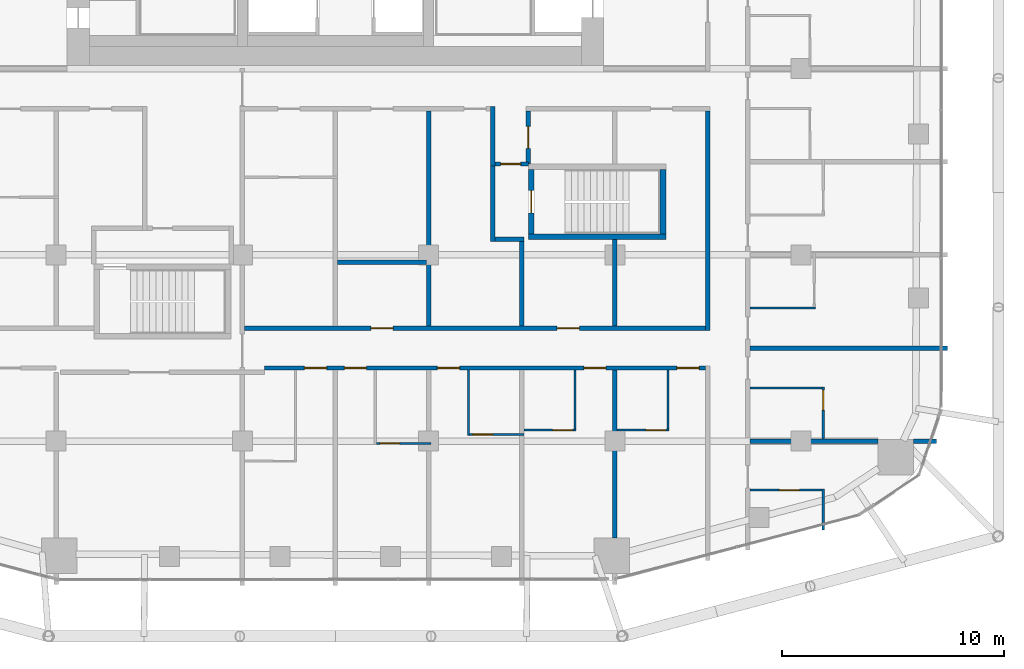
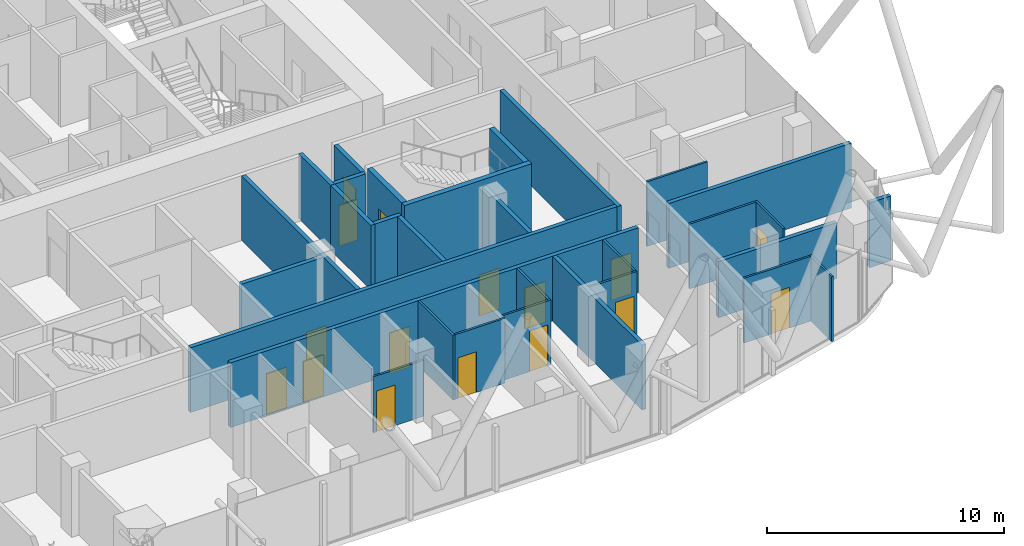
# One storey, part 29 of 36: 31 walls, 16 doors, 16 openings.
"""IFC4 building model written with IfcOpenShell, lengths in metres."""

from ifc_helpers import new_model, si_unit, direction, frame, frame_2d, origin, place, context, subcontext, project, spatial, rectangle, extrude, material, layer, layer_set, type_object, element, fill, save


model = new_model("IFC4")

# Units and contexts
model_context = context("Model", 3, precision=1e-05, world=origin(), true_north=direction((0.0, 1.0)))
body_context = subcontext(model_context, "Body", "Model", "MODEL_VIEW")
ifc_project = project(units=[si_unit("LENGTHUNIT", "METRE"), si_unit("AREAUNIT", "SQUARE_METRE"), si_unit("VOLUMEUNIT", "CUBIC_METRE"), si_unit("PLANEANGLEUNIT", "RADIAN"), si_unit("MASSUNIT", "GRAM", prefix="KILO")], contexts=[model_context])

# Site, building, storey
site_placement = place(None, origin())
site = spatial("IfcSite", under=ifc_project, at=site_placement, CompositionType="ELEMENT")
building_placement = place(site_placement, origin())
building = spatial("IfcBuilding", under=site, at=building_placement, Name="Marenta Gate Hotel Tower", CompositionType="ELEMENT")
storey_placement = place(building_placement, frame((0.0, 0.0, 144.5)))
storey = spatial("IfcBuildingStorey", under=building, at=storey_placement, Name="L33", CompositionType="ELEMENT", Elevation=144.5)

# Wall
ifc_material_1 = material(Name="Concrete C40", Category="concrete")
ifc_layer_1 = layer(ifc_material_1, 0.25)
ifc_layer_set_1 = layer_set([ifc_layer_1], Name="Concrete C40")
wall_type_1 = type_object("IfcWallType", Name="Remote stair enclosure wall 250 REI 180", PredefinedType="SHEAR", material=ifc_layer_set_1)
wall_1_placement = place(storey_placement, frame((8.699951171875, -7.574951171875, 0.10009765625), z_axis=(0.0, 0.0, 1.0), x_axis=(1.0, 0.0, 0.0)))
element("IfcWall", 1, at=wall_1_placement, inside=storey, type_object=wall_type_1, Name="L33-RS-Z2-2-W1", PredefinedType="SHEAR", context=body_context, shape_type="SweptSolid", body=[
    extrude(rectangle(XDim=6.199951171875, YDim=0.25, at=frame_2d((3.10009765625, 0.0))), origin(), (0.0, 0.0, 1.0), 3.599853515625),
])

# Wall, opening, door
wall_2_placement = place(storey_placement, frame((8.824951171875, -7.449951171875, 0.10009765625), z_axis=(0.0, 0.0, 1.0), x_axis=(0.0, 1.0, 0.0)))
wall_2 = element("IfcWall", 2, at=wall_2_placement, inside=storey, type_object=wall_type_1, Name="L33-RS-Z2-2-W3", PredefinedType="SHEAR", context=body_context, shape_type="SweptSolid", body=[
    extrude(rectangle(XDim=2.89990234375, YDim=0.25, at=frame_2d((1.449951171875, 0.0))), origin(), (0.0, 0.0, 1.0), 3.599853515625),
])
opening_1_placement = place(wall_2_placement, frame((0.949951171875, 0.0, 0.0)))
opening_1 = element("IfcOpeningElement", 3, at=opening_1_placement, cuts=wall_2, Name="Opening VD", PredefinedType="OPENING", context=body_context, shape_type="SweptSolid", body=[
    extrude(rectangle(XDim=1.0, YDim=2.10009765625, at=frame_2d((0.5, 1.050048828125))), frame((0.0, 0.125, 0.0), z_axis=(0.0, -1.0, 0.0), x_axis=(1.0, 0.0, 0.0)), (0.0, 0.0, 1.0), 0.25),
])
ifc_material_2 = material(Name="Steel", Category="steel")
door_type_1 = type_object("IfcDoorType", Name="Stair vestibule door 1000x2100 FD60", OperationType="SINGLE_SWING_LEFT", PredefinedType="DOOR", material=ifc_material_2)
door_1_placement = place(opening_1_placement, origin())
door_1 = element("IfcDoor", 4, at=door_1_placement, inside=storey, type_object=door_type_1, Name="VD", OperationType="SINGLE_SWING_LEFT", OverallHeight=2.10009765625, OverallWidth=1.0, PredefinedType="DOOR", context=body_context, shape_type="SweptSolid", body=[
    extrude(rectangle(XDim=1.0, YDim=2.10009765625, at=frame_2d((0.5, 1.050048828125))), frame((0.0, 0.02490234375, 0.0), z_axis=(0.0, -1.0, 0.0), x_axis=(1.0, 0.0, 0.0)), (0.0, 0.0, 1.0), 0.050048828125),
])
fill(opening_1, door_1)

# Wall
wall_3_placement = place(storey_placement, frame((14.77490234375, -7.449951171875, 0.10009765625), z_axis=(0.0, 0.0, 1.0), x_axis=(0.0, 1.0, 0.0)))
element("IfcWall", 5, at=wall_3_placement, inside=storey, type_object=wall_type_1, Name="L33-RS-Z2-2-W4", PredefinedType="SHEAR", context=body_context, shape_type="SweptSolid", body=[
    extrude(rectangle(XDim=2.89990234375, YDim=0.25, at=frame_2d((1.449951171875, 0.0))), origin(), (0.0, 0.0, 1.0), 3.599853515625),
])

# Wall, openings, doors
ifc_material_3 = material(Name="Concrete blockwork", Category="masonry")
ifc_layer_2 = layer(ifc_material_3, 0.199951171875)
ifc_layer_set_2 = layer_set([ifc_layer_2], Name="Concrete blockwork")
wall_type_2 = type_object("IfcWallType", Name="Room corridor wall 200 EI 120", PredefinedType="PARTITIONING", material=ifc_layer_set_2)
wall_4_placement = place(storey_placement, frame((-4.10009765625, -11.699951171875, 0.0), z_axis=(0.0, 0.0, 1.0), x_axis=(1.0, 0.0, 0.0)))
wall_4 = element("IfcWall", 6, at=wall_4_placement, inside=storey, type_object=wall_type_2, Name="L33-PTN-W038", PredefinedType="PARTITIONING", context=body_context, shape_type="SweptSolid", body=[
    extrude(rectangle(XDim=20.800048828125, YDim=0.199951171875, at=frame_2d((10.39990234375, 0.0))), origin(), (0.0, 0.0, 1.0), 3.340087890625),
])
opening_2_placement = place(wall_4_placement, frame((14.10009765625, 0.0, 0.0)))
opening_2 = element("IfcOpeningElement", 7, at=opening_2_placement, cuts=wall_4, Name="Opening G12-70", PredefinedType="OPENING", context=body_context, shape_type="SweptSolid", body=[
    extrude(rectangle(XDim=1.0, YDim=2.10009765625, at=frame_2d((0.5, 1.050048828125))), frame((0.0, 0.10009765625, 0.0), z_axis=(0.0, -1.0, 0.0), x_axis=(1.0, 0.0, 0.0)), (0.0, 0.0, 1.0), 0.199951171875),
])
opening_3_placement = place(wall_4_placement, frame((5.699951171875, 0.0, 0.0)))
opening_3 = element("IfcOpeningElement", 8, at=opening_3_placement, cuts=wall_4, Name="Opening G12-72", PredefinedType="OPENING", context=body_context, shape_type="SweptSolid", body=[
    extrude(rectangle(XDim=1.0, YDim=2.10009765625, at=frame_2d((0.5, 1.050048828125))), frame((0.0, 0.10009765625, 0.0), z_axis=(0.0, -1.0, 0.0), x_axis=(1.0, 0.0, 0.0)), (0.0, 0.0, 1.0), 0.199951171875),
])
ifc_material_4 = material(Name="Timber door leaf", Category="wood")
door_type_2 = type_object("IfcDoorType", Name="Room amenity door 1000x2100 EI 60", OperationType="NOTDEFINED", PredefinedType="DOOR", material=ifc_material_4)
door_2_placement = place(opening_2_placement, origin())
door_2 = element("IfcDoor", 9, at=door_2_placement, inside=storey, type_object=door_type_2, Name="L33-PD-D070", OperationType="SINGLE_SWING_RIGHT", OverallHeight=2.10009765625, OverallWidth=1.0, PredefinedType="DOOR", context=body_context, shape_type="SweptSolid", body=[
    extrude(rectangle(XDim=1.0, YDim=2.10009765625, at=frame_2d((0.5, 1.050048828125))), frame((0.0, 0.02490234375, 0.0), z_axis=(0.0, -1.0, 0.0), x_axis=(1.0, 0.0, 0.0)), (0.0, 0.0, 1.0), 0.050048828125),
])
fill(opening_2, door_2)
door_3_placement = place(opening_3_placement, origin())
door_3 = element("IfcDoor", 10, at=door_3_placement, inside=storey, type_object=door_type_2, Name="L33-PD-D072", OperationType="SINGLE_SWING_RIGHT", OverallHeight=2.10009765625, OverallWidth=1.0, PredefinedType="DOOR", context=body_context, shape_type="SweptSolid", body=[
    extrude(rectangle(XDim=1.0, YDim=2.10009765625, at=frame_2d((0.5, 1.050048828125))), frame((0.0, 0.02490234375, 0.0), z_axis=(0.0, -1.0, 0.0), x_axis=(1.0, 0.0, 0.0)), (0.0, 0.0, 1.0), 0.050048828125),
])
fill(opening_3, door_3)

# Wall
ifc_material_5 = material(Name="Gypsum board on steel stud", Category="steel")
ifc_layer_3 = layer(ifc_material_5, 0.199951171875)
ifc_layer_set_3 = layer_set([ifc_layer_3], Name="Gypsum board on steel stud")
wall_type_3 = type_object("IfcWallType", Name="Room corridor wall 200 EI 60", PredefinedType="PARTITIONING", material=ifc_layer_set_3)
wall_5_placement = place(storey_placement, frame((16.800048828125, -11.800048828125, 0.0), z_axis=(0.0, 0.0, 1.0), x_axis=(0.0, 1.0, 0.0)))
element("IfcWall", 11, at=wall_5_placement, inside=storey, type_object=wall_type_3, Name="L33-PTN-W018", PredefinedType="PARTITIONING", context=body_context, shape_type="SweptSolid", body=[
    extrude(rectangle(XDim=9.900146484375, YDim=0.199951171875, at=frame_2d((4.9501953125, 0.0))), origin(), (0.0, 0.0, 1.0), 3.340087890625),
])

# Wall, openings, doors
wall_6_placement = place(storey_placement, frame((-3.199951171875, -13.5, 0.0), z_axis=(0.0, 0.0, 1.0), x_axis=(1.0, 0.0, 0.0)))
wall_6 = element("IfcWall", 12, at=wall_6_placement, inside=storey, type_object=wall_type_3, Name="L33-PTN-W030", PredefinedType="PARTITIONING", context=body_context, shape_type="SweptSolid", body=[
    extrude(rectangle(XDim=19.89990234375, YDim=0.199951171875, at=frame_2d((9.949951171875, 0.0))), origin(), (0.0, 0.0, 1.0), 3.340087890625),
])
opening_4_placement = place(wall_6_placement, frame((1.800048828125, 0.0, 0.0)))
opening_4 = element("IfcOpeningElement", 13, at=opening_4_placement, cuts=wall_6, Name="Opening G12-40", PredefinedType="OPENING", context=body_context, shape_type="SweptSolid", body=[
    extrude(rectangle(XDim=1.0, YDim=2.10009765625, at=frame_2d((0.5, 1.050048828125))), frame((0.0, 0.10009765625, 0.0), z_axis=(0.0, -1.0, 0.0), x_axis=(1.0, 0.0, 0.0)), (0.0, 0.0, 1.0), 0.199951171875),
])
opening_5_placement = place(wall_6_placement, frame((3.60009765625, 0.0, 0.0)))
opening_5 = element("IfcOpeningElement", 14, at=opening_5_placement, cuts=wall_6, Name="Opening G12-42", PredefinedType="OPENING", context=body_context, shape_type="SweptSolid", body=[
    extrude(rectangle(XDim=1.0, YDim=2.10009765625, at=frame_2d((0.5, 1.050048828125))), frame((0.0, 0.10009765625, 0.0), z_axis=(0.0, -1.0, 0.0), x_axis=(1.0, 0.0, 0.0)), (0.0, 0.0, 1.0), 0.199951171875),
])
opening_6_placement = place(wall_6_placement, frame((7.800048828125, 0.0, 0.0)))
opening_6 = element("IfcOpeningElement", 15, at=opening_6_placement, cuts=wall_6, Name="Opening G12-44", PredefinedType="OPENING", context=body_context, shape_type="SweptSolid", body=[
    extrude(rectangle(XDim=1.0, YDim=2.10009765625, at=frame_2d((0.5, 1.050048828125))), frame((0.0, 0.10009765625, 0.0), z_axis=(0.0, -1.0, 0.0), x_axis=(1.0, 0.0, 0.0)), (0.0, 0.0, 1.0), 0.199951171875),
])
opening_7_placement = place(wall_6_placement, frame((14.39990234375, 0.0, 0.0)))
opening_7 = element("IfcOpeningElement", 16, at=opening_7_placement, cuts=wall_6, Name="Opening G12-46", PredefinedType="OPENING", context=body_context, shape_type="SweptSolid", body=[
    extrude(rectangle(XDim=1.0, YDim=2.10009765625, at=frame_2d((0.5, 1.050048828125))), frame((0.0, 0.10009765625, 0.0), z_axis=(0.0, -1.0, 0.0), x_axis=(1.0, 0.0, 0.0)), (0.0, 0.0, 1.0), 0.199951171875),
])
opening_8_placement = place(wall_6_placement, frame((18.60009765625, 0.0, 0.0)))
opening_8 = element("IfcOpeningElement", 17, at=opening_8_placement, cuts=wall_6, Name="Opening G12-48", PredefinedType="OPENING", context=body_context, shape_type="SweptSolid", body=[
    extrude(rectangle(XDim=1.0, YDim=2.10009765625, at=frame_2d((0.5, 1.050048828125))), frame((0.0, 0.10009765625, 0.0), z_axis=(0.0, -1.0, 0.0), x_axis=(1.0, 0.0, 0.0)), (0.0, 0.0, 1.0), 0.199951171875),
])
ifc_material_6 = material(Name="Timber door leaf", Category="wood")
door_type_3 = type_object("IfcDoorType", Name="Guest room door 1000x2100 EI 30", OperationType="NOTDEFINED", PredefinedType="DOOR", material=ifc_material_6)
door_4_placement = place(opening_4_placement, origin())
door_4 = element("IfcDoor", 18, at=door_4_placement, inside=storey, type_object=door_type_3, Name="L33-PD-D040", OperationType="SINGLE_SWING_RIGHT", OverallHeight=2.10009765625, OverallWidth=1.0, PredefinedType="DOOR", context=body_context, shape_type="SweptSolid", body=[
    extrude(rectangle(XDim=1.0, YDim=2.10009765625, at=frame_2d((0.5, 1.050048828125))), frame((0.0, 0.02490234375, 0.0), z_axis=(0.0, -1.0, 0.0), x_axis=(1.0, 0.0, 0.0)), (0.0, 0.0, 1.0), 0.050048828125),
])
fill(opening_4, door_4)
door_5_placement = place(opening_5_placement, origin())
door_5 = element("IfcDoor", 19, at=door_5_placement, inside=storey, type_object=door_type_3, Name="L33-PD-D042", OperationType="SINGLE_SWING_RIGHT", OverallHeight=2.10009765625, OverallWidth=1.0, PredefinedType="DOOR", context=body_context, shape_type="SweptSolid", body=[
    extrude(rectangle(XDim=1.0, YDim=2.10009765625, at=frame_2d((0.5, 1.050048828125))), frame((0.0, 0.02490234375, 0.0), z_axis=(0.0, -1.0, 0.0), x_axis=(1.0, 0.0, 0.0)), (0.0, 0.0, 1.0), 0.050048828125),
])
fill(opening_5, door_5)
door_6_placement = place(opening_6_placement, origin())
door_6 = element("IfcDoor", 20, at=door_6_placement, inside=storey, type_object=door_type_3, Name="L33-PD-D044", OperationType="SINGLE_SWING_RIGHT", OverallHeight=2.10009765625, OverallWidth=1.0, PredefinedType="DOOR", context=body_context, shape_type="SweptSolid", body=[
    extrude(rectangle(XDim=1.0, YDim=2.10009765625, at=frame_2d((0.5, 1.050048828125))), frame((0.0, 0.02490234375, 0.0), z_axis=(0.0, -1.0, 0.0), x_axis=(1.0, 0.0, 0.0)), (0.0, 0.0, 1.0), 0.050048828125),
])
fill(opening_6, door_6)
door_7_placement = place(opening_7_placement, origin())
door_7 = element("IfcDoor", 21, at=door_7_placement, inside=storey, type_object=door_type_3, Name="L33-PD-D046", OperationType="SINGLE_SWING_RIGHT", OverallHeight=2.10009765625, OverallWidth=1.0, PredefinedType="DOOR", context=body_context, shape_type="SweptSolid", body=[
    extrude(rectangle(XDim=1.0, YDim=2.10009765625, at=frame_2d((0.5, 1.050048828125))), frame((0.0, 0.02490234375, 0.0), z_axis=(0.0, -1.0, 0.0), x_axis=(1.0, 0.0, 0.0)), (0.0, 0.0, 1.0), 0.050048828125),
])
fill(opening_7, door_7)
door_8_placement = place(opening_8_placement, origin())
door_8 = element("IfcDoor", 22, at=door_8_placement, inside=storey, type_object=door_type_3, Name="L33-PD-D048", OperationType="SINGLE_SWING_LEFT", OverallHeight=2.10009765625, OverallWidth=1.0, PredefinedType="DOOR", context=body_context, shape_type="SweptSolid", body=[
    extrude(rectangle(XDim=1.0, YDim=2.10009765625, at=frame_2d((0.5, 1.050048828125))), frame((0.0, 0.02490234375, 0.0), z_axis=(0.0, -1.0, 0.0), x_axis=(1.0, 0.0, 0.0)), (0.0, 0.0, 1.0), 0.050048828125),
])
fill(opening_8, door_8)

# Wall, opening, door
wall_7_placement = place(storey_placement, frame((8.699951171875, -4.300048828125, 0.0), z_axis=(0.0, 0.0, 1.0), x_axis=(0.0, 1.0, 0.0)))
wall_7 = element("IfcWall", 23, at=wall_7_placement, inside=storey, type_object=wall_type_3, Name="L33-PTN-W044", PredefinedType="PARTITIONING", context=body_context, shape_type="SweptSolid", body=[
    extrude(rectangle(XDim=2.400146484375, YDim=0.199951171875, at=frame_2d((1.2001953125, 0.0))), origin(), (0.0, 0.0, 1.0), 3.340087890625),
])
opening_9_placement = place(wall_7_placement, frame((0.699951171875, 0.0, 0.0)))
opening_9 = element("IfcOpeningElement", 24, at=opening_9_placement, cuts=wall_7, Name="Opening G12-71", PredefinedType="OPENING", context=body_context, shape_type="SweptSolid", body=[
    extrude(rectangle(XDim=1.0, YDim=2.10009765625, at=frame_2d((0.5, 1.050048828125))), frame((0.0, 0.10009765625, 0.0), z_axis=(0.0, -1.0, 0.0), x_axis=(1.0, 0.0, 0.0)), (0.0, 0.0, 1.0), 0.199951171875),
])
ifc_material_7 = material(Name="Timber door leaf", Category="wood")
door_type_4 = type_object("IfcDoorType", Name="Room amenity door 1000x2100 EI 30", OperationType="NOTDEFINED", PredefinedType="DOOR", material=ifc_material_7)
door_9_placement = place(opening_9_placement, origin())
door_9 = element("IfcDoor", 25, at=door_9_placement, inside=storey, type_object=door_type_4, Name="L33-PD-D071", OperationType="SINGLE_SWING_LEFT", OverallHeight=2.10009765625, OverallWidth=1.0, PredefinedType="DOOR", context=body_context, shape_type="SweptSolid", body=[
    extrude(rectangle(XDim=1.0, YDim=2.10009765625, at=frame_2d((0.5, 1.050048828125))), frame((0.0, 0.02490234375, 0.0), z_axis=(0.0, -1.0, 0.0), x_axis=(1.0, 0.0, 0.0)), (0.0, 0.0, 1.0), 0.050048828125),
])
fill(opening_9, door_9)

# Wall
wall_8_placement = place(storey_placement, frame((7.10009765625, -4.39990234375, 0.0), z_axis=(0.0, 0.0, 1.0), x_axis=(0.0, 1.0, 0.0)))
element("IfcWall", 26, at=wall_8_placement, inside=storey, type_object=wall_type_3, Name="L33-PTN-W053", PredefinedType="PARTITIONING", context=body_context, shape_type="SweptSolid", body=[
    extrude(rectangle(XDim=2.699951171875, YDim=0.199951171875, at=frame_2d((1.35009765625, 0.0))), origin(), (0.0, 0.0, 1.0), 3.340087890625),
])

# Wall, opening, door
ifc_material_8 = material(Name="Concrete blockwork", Category="masonry")
ifc_layer_4 = layer(ifc_material_8, 0.199951171875)
ifc_layer_set_4 = layer_set([ifc_layer_4], Name="Concrete blockwork")
wall_type_4 = type_object("IfcWallType", Name="Room corridor wall 200 REI 180", PredefinedType="PARTITIONING", material=ifc_layer_set_4)
wall_9_placement = place(storey_placement, frame((7.199951171875, -4.300048828125, 0.0), z_axis=(0.0, 0.0, 1.0), x_axis=(1.0, 0.0, 0.0)))
wall_9 = element("IfcWall", 27, at=wall_9_placement, inside=storey, type_object=wall_type_4, Name="L33-PTN-W059", PredefinedType="PARTITIONING", context=body_context, shape_type="SweptSolid", body=[
    extrude(rectangle(XDim=1.5, YDim=0.199951171875, at=frame_2d((0.75, 0.0))), origin(), (0.0, 0.0, 1.0), 3.340087890625),
])
opening_10_placement = place(wall_9_placement, frame((0.25, 0.0, 0.0)))
opening_10 = element("IfcOpeningElement", 28, at=opening_10_placement, cuts=wall_9, Name="Opening G12-67", PredefinedType="OPENING", context=body_context, shape_type="SweptSolid", body=[
    extrude(rectangle(XDim=0.89990234375, YDim=2.10009765625, at=frame_2d((0.449951171875, 1.050048828125))), frame((0.0, 0.10009765625, 0.0), z_axis=(0.0, -1.0, 0.0), x_axis=(1.0, 0.0, 0.0)), (0.0, 0.0, 1.0), 0.199951171875),
])
ifc_material_9 = material(Name="Hollow steel door set", Category="steel")
door_type_5 = type_object("IfcDoorType", Name="Stair vestibule door 900x2100 EI 60", OperationType="NOTDEFINED", PredefinedType="DOOR", material=ifc_material_9)
door_10_placement = place(opening_10_placement, origin())
door_10 = element("IfcDoor", 29, at=door_10_placement, inside=storey, type_object=door_type_5, Name="L33-PD-D067", OperationType="SINGLE_SWING_LEFT", OverallHeight=2.10009765625, OverallWidth=0.89990234375, PredefinedType="DOOR", context=body_context, shape_type="SweptSolid", body=[
    extrude(rectangle(XDim=0.89990234375, YDim=2.10009765625, at=frame_2d((0.449951171875, 1.050048828125))), frame((0.0, 0.02490234375, 0.0), z_axis=(0.0, -1.0, 0.0), x_axis=(1.0, 0.0, 0.0)), (0.0, 0.0, 1.0), 0.050048828125),
])
fill(opening_10, door_10)

# Wall
ifc_material_10 = material(Name="Gypsum board on steel stud", Category="steel")
ifc_layer_5 = layer(ifc_material_10, 0.10009765625)
ifc_layer_set_5 = layer_set([ifc_layer_5], Name="Gypsum board on steel stud")
wall_type_5 = type_object("IfcWallType", Name="Room partition 100", PredefinedType="PARTITIONING", material=ifc_layer_set_5)
wall_10_placement = place(storey_placement, frame((22.0, -20.805908203125, 0.0), z_axis=(0.0, 0.0, 1.0), x_axis=(0.0, 1.0, 0.0)))
element("IfcWall", 30, at=wall_10_placement, inside=storey, type_object=wall_type_5, Name="L33-PTN-W003", PredefinedType="PARTITIONING", context=body_context, shape_type="SweptSolid", body=[
    extrude(rectangle(XDim=1.847900390625, YDim=0.10009765625, at=frame_2d((0.923828125, 0.0))), origin(), (0.0, 0.0, 1.0), 3.340087890625),
])

# Wall, opening, door
wall_11_placement = place(storey_placement, frame((22.0, -16.699951171875, 0.0), z_axis=(0.0, 0.0, 1.0), x_axis=(0.0, 1.0, 0.0)))
wall_11 = element("IfcWall", 31, at=wall_11_placement, inside=storey, type_object=wall_type_5, Name="L33-PTN-W004", PredefinedType="PARTITIONING", context=body_context, shape_type="SweptSolid", body=[
    extrude(rectangle(XDim=2.349853515625, YDim=0.10009765625, at=frame_2d((1.1748046875, 0.0))), origin(), (0.0, 0.0, 1.0), 3.340087890625),
])
opening_11_placement = place(wall_11_placement, frame((1.300048828125, 0.0, 0.0)))
opening_11 = element("IfcOpeningElement", 32, at=opening_11_placement, cuts=wall_11, Name="Opening G12-11", PredefinedType="OPENING", context=body_context, shape_type="SweptSolid", body=[
    extrude(rectangle(XDim=0.89990234375, YDim=2.10009765625, at=frame_2d((0.449951171875, 1.050048828125))), frame((0.0, 0.050048828125, 0.0), z_axis=(0.0, -1.0, 0.0), x_axis=(1.0, 0.0, 0.0)), (0.0, 0.0, 1.0), 0.10009765625),
])
ifc_material_11 = material(Name="Timber door leaf", Category="wood")
door_type_6 = type_object("IfcDoorType", Name="Guest bathroom door 900x2100", OperationType="NOTDEFINED", PredefinedType="DOOR", material=ifc_material_11)
door_11_placement = place(opening_11_placement, origin())
door_11 = element("IfcDoor", 33, at=door_11_placement, inside=storey, type_object=door_type_6, Name="L33-PD-D011", OperationType="SINGLE_SWING_RIGHT", OverallHeight=2.10009765625, OverallWidth=0.89990234375, PredefinedType="DOOR", context=body_context, shape_type="SweptSolid", body=[
    extrude(rectangle(XDim=0.89990234375, YDim=2.10009765625, at=frame_2d((0.449951171875, 1.050048828125))), frame((0.0, 0.02490234375, 0.0), z_axis=(0.0, -1.0, 0.0), x_axis=(1.0, 0.0, 0.0)), (0.0, 0.0, 1.0), 0.050048828125),
])
fill(opening_11, door_11)

wall_12_placement = place(storey_placement, frame((18.699951171875, -19.008056640625, 0.0), z_axis=(0.0, 0.0, 1.0), x_axis=(1.0, 0.0, 0.0)))
wall_12 = element("IfcWall", 34, at=wall_12_placement, inside=storey, type_object=wall_type_5, Name="L33-PTN-W012", PredefinedType="PARTITIONING", context=body_context, shape_type="SweptSolid", body=[
    extrude(rectangle(XDim=3.25, YDim=0.10009765625, at=frame_2d((1.625, 0.0))), origin(), (0.0, 0.0, 1.0), 3.340087890625),
])
opening_12_placement = place(wall_12_placement, frame((1.320068359375, 0.0, 0.0)))
opening_12 = element("IfcOpeningElement", 35, at=opening_12_placement, cuts=wall_12, Name="Opening G12-09", PredefinedType="OPENING", context=body_context, shape_type="SweptSolid", body=[
    extrude(rectangle(XDim=0.89990234375, YDim=2.10009765625, at=frame_2d((0.449951171875, 1.050048828125))), frame((0.0, 0.050048828125, 0.0), z_axis=(0.0, -1.0, 0.0), x_axis=(1.0, 0.0, 0.0)), (0.0, 0.0, 1.0), 0.10009765625),
])
door_12_placement = place(opening_12_placement, origin())
door_12 = element("IfcDoor", 36, at=door_12_placement, inside=storey, type_object=door_type_6, Name="L33-PD-D009", OperationType="SINGLE_SWING_RIGHT", OverallHeight=2.10009765625, OverallWidth=0.89990234375, PredefinedType="DOOR", context=body_context, shape_type="SweptSolid", body=[
    extrude(rectangle(XDim=0.89990234375, YDim=2.10009765625, at=frame_2d((0.449951171875, 1.050048828125))), frame((0.0, 0.02490234375, 0.0), z_axis=(0.0, -1.0, 0.0), x_axis=(1.0, 0.0, 0.0)), (0.0, 0.0, 1.0), 0.050048828125),
])
fill(opening_12, door_12)

wall_13_placement = place(storey_placement, frame((1.85009765625, -16.89990234375, 0.0), z_axis=(0.0, 0.0, 1.0), x_axis=(1.0, 0.0, 0.0)))
wall_13 = element("IfcWall", 37, at=wall_13_placement, inside=storey, type_object=wall_type_5, Name="L33-PTN-W016", PredefinedType="PARTITIONING", context=body_context, shape_type="SweptSolid", body=[
    extrude(rectangle(XDim=2.449951171875, YDim=0.10009765625, at=frame_2d((1.22509765625, 0.0))), origin(), (0.0, 0.0, 1.0), 2.889892578125),
])
opening_13_placement = place(wall_13_placement, frame((0.14990234375, 0.0, 0.0)))
opening_13 = element("IfcOpeningElement", 38, at=opening_13_placement, cuts=wall_13, Name="Opening G12-43", PredefinedType="OPENING", context=body_context, shape_type="SweptSolid", body=[
    extrude(rectangle(XDim=0.89990234375, YDim=2.10009765625, at=frame_2d((0.449951171875, 1.050048828125))), frame((0.0, 0.050048828125, 0.0), z_axis=(0.0, -1.0, 0.0), x_axis=(1.0, 0.0, 0.0)), (0.0, 0.0, 1.0), 0.10009765625),
])
door_13_placement = place(opening_13_placement, origin())
door_13 = element("IfcDoor", 39, at=door_13_placement, inside=storey, type_object=door_type_6, Name="L33-PD-D043", OperationType="SINGLE_SWING_LEFT", OverallHeight=2.10009765625, OverallWidth=0.89990234375, PredefinedType="DOOR", context=body_context, shape_type="SweptSolid", body=[
    extrude(rectangle(XDim=0.89990234375, YDim=2.10009765625, at=frame_2d((0.449951171875, 1.050048828125))), frame((0.0, 0.02490234375, 0.0), z_axis=(0.0, -1.0, 0.0), x_axis=(1.0, 0.0, 0.0)), (0.0, 0.0, 1.0), 0.050048828125),
])
fill(opening_13, door_13)

wall_14_placement = place(storey_placement, frame((6.050048828125, -16.5, 0.0), z_axis=(0.0, 0.0, 1.0), x_axis=(1.0, 0.0, 0.0)))
wall_14 = element("IfcWall", 40, at=wall_14_placement, inside=storey, type_object=wall_type_5, Name="L33-PTN-W022", PredefinedType="PARTITIONING", context=body_context, shape_type="SweptSolid", body=[
    extrude(rectangle(XDim=2.449951171875, YDim=0.10009765625, at=frame_2d((1.22509765625, 0.0))), origin(), (0.0, 0.0, 1.0), 3.340087890625),
])
opening_14_placement = place(wall_14_placement, frame((0.14990234375, 0.0, 0.0)))
opening_14 = element("IfcOpeningElement", 41, at=opening_14_placement, cuts=wall_14, Name="Opening G12-45", PredefinedType="OPENING", context=body_context, shape_type="SweptSolid", body=[
    extrude(rectangle(XDim=0.89990234375, YDim=2.10009765625, at=frame_2d((0.449951171875, 1.050048828125))), frame((0.0, 0.050048828125, 0.0), z_axis=(0.0, -1.0, 0.0), x_axis=(1.0, 0.0, 0.0)), (0.0, 0.0, 1.0), 0.10009765625),
])
door_14_placement = place(opening_14_placement, origin())
door_14 = element("IfcDoor", 42, at=door_14_placement, inside=storey, type_object=door_type_6, Name="L33-PD-D045", OperationType="SINGLE_SWING_LEFT", OverallHeight=2.10009765625, OverallWidth=0.89990234375, PredefinedType="DOOR", context=body_context, shape_type="SweptSolid", body=[
    extrude(rectangle(XDim=0.89990234375, YDim=2.10009765625, at=frame_2d((0.449951171875, 1.050048828125))), frame((0.0, 0.02490234375, 0.0), z_axis=(0.0, -1.0, 0.0), x_axis=(1.0, 0.0, 0.0)), (0.0, 0.0, 1.0), 0.050048828125),
])
fill(opening_14, door_14)

wall_15_placement = place(storey_placement, frame((8.5, -16.300048828125, 0.0), z_axis=(0.0, 0.0, 1.0), x_axis=(1.0, 0.0, 0.0)))
wall_15 = element("IfcWall", 43, at=wall_15_placement, inside=storey, type_object=wall_type_5, Name="L33-PTN-W023", PredefinedType="PARTITIONING", context=body_context, shape_type="SweptSolid", body=[
    extrude(rectangle(XDim=2.35009765625, YDim=0.10009765625, at=frame_2d((1.175048828125, 0.0))), origin(), (0.0, 0.0, 1.0), 3.340087890625),
])
opening_15_placement = place(wall_15_placement, frame((1.300048828125, 0.0, 0.0)))
opening_15 = element("IfcOpeningElement", 44, at=opening_15_placement, cuts=wall_15, Name="Opening G12-47", PredefinedType="OPENING", context=body_context, shape_type="SweptSolid", body=[
    extrude(rectangle(XDim=0.89990234375, YDim=2.10009765625, at=frame_2d((0.449951171875, 1.050048828125))), frame((0.0, 0.050048828125, 0.0), z_axis=(0.0, -1.0, 0.0), x_axis=(1.0, 0.0, 0.0)), (0.0, 0.0, 1.0), 0.10009765625),
])
door_15_placement = place(opening_15_placement, origin())
door_15 = element("IfcDoor", 45, at=door_15_placement, inside=storey, type_object=door_type_6, Name="L33-PD-D047", OperationType="SINGLE_SWING_RIGHT", OverallHeight=2.10009765625, OverallWidth=0.89990234375, PredefinedType="DOOR", context=body_context, shape_type="SweptSolid", body=[
    extrude(rectangle(XDim=0.89990234375, YDim=2.10009765625, at=frame_2d((0.449951171875, 1.050048828125))), frame((0.0, 0.02490234375, 0.0), z_axis=(0.0, -1.0, 0.0), x_axis=(1.0, 0.0, 0.0)), (0.0, 0.0, 1.0), 0.050048828125),
])
fill(opening_15, door_15)

wall_16_placement = place(storey_placement, frame((12.699951171875, -16.300048828125, 0.0), z_axis=(0.0, 0.0, 1.0), x_axis=(1.0, 0.0, 0.0)))
wall_16 = element("IfcWall", 46, at=wall_16_placement, inside=storey, type_object=wall_type_5, Name="L33-PTN-W024", PredefinedType="PARTITIONING", context=body_context, shape_type="SweptSolid", body=[
    extrude(rectangle(XDim=2.35009765625, YDim=0.10009765625, at=frame_2d((1.175048828125, 0.0))), origin(), (0.0, 0.0, 1.0), 3.340087890625),
])
opening_16_placement = place(wall_16_placement, frame((1.300048828125, 0.0, 0.0)))
opening_16 = element("IfcOpeningElement", 47, at=opening_16_placement, cuts=wall_16, Name="Opening G12-49", PredefinedType="OPENING", context=body_context, shape_type="SweptSolid", body=[
    extrude(rectangle(XDim=0.89990234375, YDim=2.10009765625, at=frame_2d((0.449951171875, 1.050048828125))), frame((0.0, 0.050048828125, 0.0), z_axis=(0.0, -1.0, 0.0), x_axis=(1.0, 0.0, 0.0)), (0.0, 0.0, 1.0), 0.10009765625),
])
door_16_placement = place(opening_16_placement, origin())
door_16 = element("IfcDoor", 48, at=door_16_placement, inside=storey, type_object=door_type_6, Name="L33-PD-D049", OperationType="SINGLE_SWING_RIGHT", OverallHeight=2.10009765625, OverallWidth=0.89990234375, PredefinedType="DOOR", context=body_context, shape_type="SweptSolid", body=[
    extrude(rectangle(XDim=0.89990234375, YDim=2.10009765625, at=frame_2d((0.449951171875, 1.050048828125))), frame((0.0, 0.02490234375, 0.0), z_axis=(0.0, -1.0, 0.0), x_axis=(1.0, 0.0, 0.0)), (0.0, 0.0, 1.0), 0.050048828125),
])
fill(opening_16, door_16)

# Walls
wall_17_placement = place(storey_placement, frame((15.0, -16.25, 0.0), z_axis=(0.0, 0.0, 1.0), x_axis=(0.0, 1.0, 0.0)))
element("IfcWall", 49, at=wall_17_placement, inside=storey, type_object=wall_type_5, Name="L33-PTN-W025", PredefinedType="PARTITIONING", context=body_context, shape_type="SweptSolid", body=[
    extrude(rectangle(XDim=2.64990234375, YDim=0.10009765625, at=frame_2d((1.324951171875, 0.0))), origin(), (0.0, 0.0, 1.0), 3.340087890625),
])
wall_18_placement = place(storey_placement, frame((18.699951171875, -14.39990234375, 0.0), z_axis=(0.0, 0.0, 1.0), x_axis=(1.0, 0.0, 0.0)))
element("IfcWall", 50, at=wall_18_placement, inside=storey, type_object=wall_type_5, Name="L33-PTN-W027", PredefinedType="PARTITIONING", context=body_context, shape_type="SweptSolid", body=[
    extrude(rectangle(XDim=3.25, YDim=0.10009765625, at=frame_2d((1.625, 0.0))), origin(), (0.0, 0.0, 1.0), 3.340087890625),
])
wall_19_placement = place(storey_placement, frame((10.800048828125, -16.25, 0.0), z_axis=(0.0, 0.0, 1.0), x_axis=(0.0, 1.0, 0.0)))
element("IfcWall", 51, at=wall_19_placement, inside=storey, type_object=wall_type_5, Name="L33-PTN-W039", PredefinedType="PARTITIONING", context=body_context, shape_type="SweptSolid", body=[
    extrude(rectangle(XDim=2.64990234375, YDim=0.10009765625, at=frame_2d((1.324951171875, 0.0))), origin(), (0.0, 0.0, 1.0), 3.340087890625),
])
for number, where, z_axis, x_axis, name in (
    (52, (18.699951171875, -10.800048828125, 0.0), (0.0, 0.0, 1.0), (1.0, 0.0, 0.0), "L33-PTN-W041"),
    (53, (6.0, -16.550048828125, 0.0), (0.0, 0.0, 1.0), (0.0, 1.0, 0.0), "L33-PTN-W056"),
):
    element("IfcWall", number, at=place(storey_placement, frame(where, z_axis=z_axis, x_axis=x_axis)), inside=storey, type_object=wall_type_5, Name=name, PredefinedType="PARTITIONING", context=body_context, shape_type="SweptSolid", body=[
        extrude(rectangle(XDim=2.949951171875, YDim=0.10009765625, at=frame_2d((1.47509765625, 0.0))), origin(), (0.0, 0.0, 1.0), 3.340087890625),
    ])
ifc_material_12 = material(Name="Gypsum board on steel stud", Category="steel")
ifc_layer_6 = layer(ifc_material_12, 0.199951171875)
ifc_layer_set_6 = layer_set([ifc_layer_6], Name="Gypsum board on steel stud")
wall_type_6 = type_object("IfcWallType", Name="Room party wall 200 EI 60", PredefinedType="PARTITIONING", material=ifc_layer_set_6)
wall_20_placement = place(storey_placement, frame((18.699951171875, -16.800048828125, 0.0), z_axis=(0.0, 0.0, 1.0), x_axis=(1.0, 0.0, 0.0)))
element("IfcWall", 54, at=wall_20_placement, inside=storey, type_object=wall_type_6, Name="L33-PTN-W021", PredefinedType="PARTITIONING", context=body_context, shape_type="SweptSolid", body=[
    extrude(rectangle(XDim=5.762939453125, YDim=0.199951171875, at=frame_2d((2.88134765625, 0.0))), origin(), (0.0, 0.0, 1.0), 2.889892578125),
])
wall_21_placement = place(storey_placement, frame((26.06298828125, -16.800048828125, 0.0), z_axis=(0.0, 0.0, 1.0), x_axis=(1.0, 0.0, 0.0)))
element("IfcWall", 55, at=wall_21_placement, inside=storey, type_object=wall_type_6, Name="L33-PTN-W132", PredefinedType="PARTITIONING", context=body_context, shape_type="SweptSolid", body=[
    extrude(rectangle(XDim=1.049072265625, YDim=0.199951171875, at=frame_2d((0.5244140625, 0.0))), origin(), (0.0, 0.0, 1.0), 3.340087890625),
])
wall_22_placement = place(storey_placement, frame((12.60009765625, -21.175048828125, 0.0), z_axis=(0.0, 0.0, 1.0), x_axis=(0.0, 1.0, 0.0)))
element("IfcWall", 56, at=wall_22_placement, inside=storey, type_object=wall_type_6, Name="L33-PTN-W133", PredefinedType="PARTITIONING", context=body_context, shape_type="SweptSolid", body=[
    extrude(rectangle(XDim=7.574951171875, YDim=0.199951171875, at=frame_2d((3.78759765625, 0.0))), origin(), (0.0, 0.0, 1.0), 3.340087890625),
])
wall_23_placement = place(storey_placement, frame((12.60009765625, -11.60009765625, 0.0), z_axis=(0.0, 0.0, 1.0), x_axis=(0.0, 1.0, 0.0)))
element("IfcWall", 57, at=wall_23_placement, inside=storey, type_object=wall_type_6, Name="L33-PTN-W033", PredefinedType="PARTITIONING", context=body_context, shape_type="SweptSolid", body=[
    extrude(rectangle(XDim=3.900146484375, YDim=0.199951171875, at=frame_2d((1.9501953125, 0.0))), origin(), (0.0, 0.0, 1.0), 3.340087890625),
])
wall_24_placement = place(storey_placement, frame((18.699951171875, -12.60009765625, 0.0), z_axis=(0.0, 0.0, 1.0), x_axis=(1.0, 0.0, 0.0)))
element("IfcWall", 58, at=wall_24_placement, inside=storey, type_object=wall_type_6, Name="L33-PTN-W036", PredefinedType="PARTITIONING", context=body_context, shape_type="SweptSolid", body=[
    extrude(rectangle(XDim=8.900146484375, YDim=0.199951171875, at=frame_2d((4.4501953125, 0.0))), origin(), (0.0, 0.0, 1.0), 3.340087890625),
])
wall_25_placement = place(storey_placement, frame((0.10009765625, -8.72998046875, 0.0), z_axis=(0.0, 0.0, 1.0), x_axis=(1.0, 0.0, 0.0)))
element("IfcWall", 59, at=wall_25_placement, inside=storey, type_object=wall_type_6, Name="L33-PTN-W043", PredefinedType="PARTITIONING", context=body_context, shape_type="SweptSolid", body=[
    extrude(rectangle(XDim=4.0, YDim=0.199951171875, at=frame_2d((2.0, 0.0))), origin(), (0.0, 0.0, 1.0), 3.340087890625),
])
wall_26_placement = place(storey_placement, frame((8.39990234375, -11.60009765625, 0.0), z_axis=(0.0, 0.0, 1.0), x_axis=(0.0, 1.0, 0.0)))
element("IfcWall", 60, at=wall_26_placement, inside=storey, type_object=wall_type_6, Name="L33-PTN-W046", PredefinedType="PARTITIONING", context=body_context, shape_type="SweptSolid", body=[
    extrude(rectangle(XDim=3.800048828125, YDim=0.199951171875, at=frame_2d((1.89990234375, 0.0))), origin(), (0.0, 0.0, 1.0), 3.340087890625),
])
wall_27_placement = place(storey_placement, frame((4.199951171875, -11.60009765625, 0.0), z_axis=(0.0, 0.0, 1.0), x_axis=(0.0, 1.0, 0.0)))
element("IfcWall", 61, at=wall_27_placement, inside=storey, type_object=wall_type_6, Name="L33-PTN-W061", PredefinedType="PARTITIONING", context=body_context, shape_type="SweptSolid", body=[
    extrude(rectangle(XDim=9.7001953125, YDim=0.199951171875, at=frame_2d((4.85009765625, 0.0))), origin(), (0.0, 0.0, 1.0), 3.340087890625),
])
ifc_material_13 = material(Name="Concrete blockwork", Category="masonry")
ifc_layer_7 = layer(ifc_material_13, 0.199951171875)
ifc_layer_set_7 = layer_set([ifc_layer_7], Name="Concrete blockwork")
wall_type_7 = type_object("IfcWallType", Name="Room party wall 200 REI 180", PredefinedType="PARTITIONING", material=ifc_layer_set_7)
wall_28_placement = place(storey_placement, frame((7.199951171875, -7.699951171875, 0.0), z_axis=(0.0, 0.0, 1.0), x_axis=(1.0, 0.0, 0.0)))
element("IfcWall", 62, at=wall_28_placement, inside=storey, type_object=wall_type_7, Name="L33-PTN-W049", PredefinedType="PARTITIONING", context=body_context, shape_type="SweptSolid", body=[
    extrude(rectangle(XDim=1.300048828125, YDim=0.199951171875, at=frame_2d((0.64990234375, 0.0))), origin(), (0.0, 0.0, 1.0), 3.340087890625),
])
wall_29_placement = place(storey_placement, frame((7.10009765625, -7.800048828125, 0.0), z_axis=(0.0, 0.0, 1.0), x_axis=(0.0, 1.0, 0.0)))
element("IfcWall", 63, at=wall_29_placement, inside=storey, type_object=wall_type_7, Name="L33-PTN-W052", PredefinedType="PARTITIONING", context=body_context, shape_type="SweptSolid", body=[
    extrude(rectangle(XDim=3.400146484375, YDim=0.199951171875, at=frame_2d((1.7001953125, 0.0))), origin(), (0.0, 0.0, 1.0), 3.340087890625),
])

save(model, "model.ifc")
